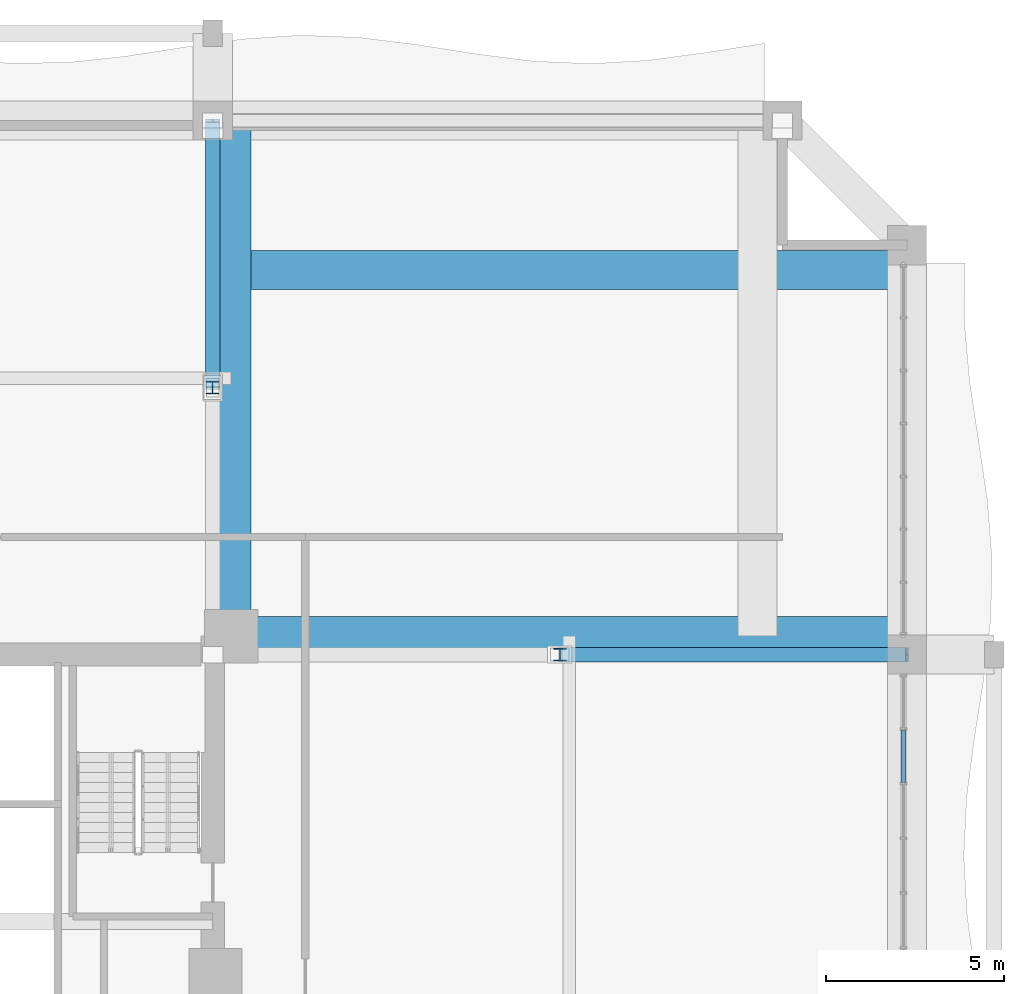
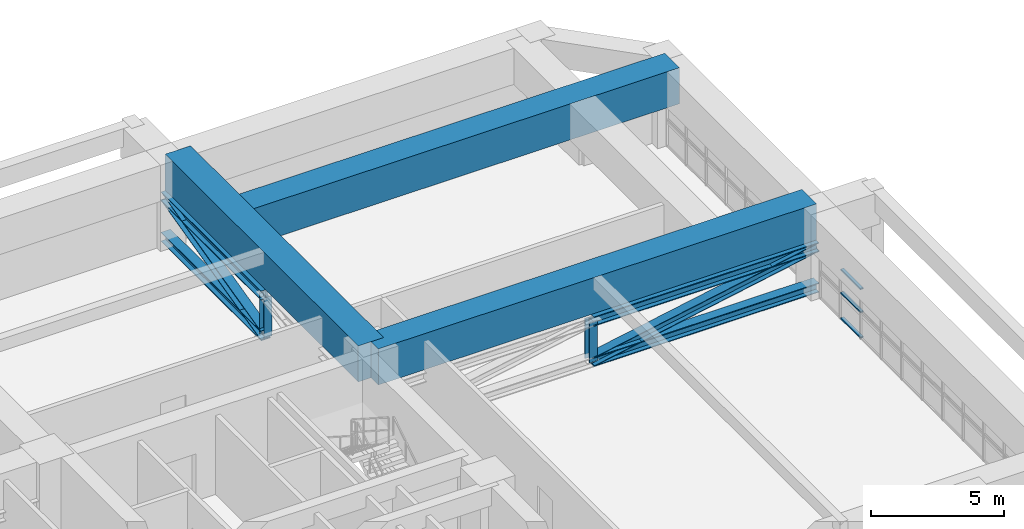
# One storey, part 23 of 35: 11 members, 3 beams, 1 element without a shape of its own.
"""IFC4 building model written with IfcOpenShell, lengths in metres."""

import ifcopenshell
import ifcopenshell.guid

model = None  # the IFC model being written
_history = None  # IfcOwnerHistory: only IFC2X3 demands one
_inside = {}  # id of a spatial element -> (the spatial element, [elements in it])
_under = {}  # id of a project, library or spatial element -> (it, [spatial elements below it])
_declared = {}  # id of a project -> (the project, [libraries it declares])
_typed = {}  # id of a type object -> (the type object, [elements of that type])
_made_of = {}  # id of a material, layer set ... -> (it, [elements and type objects made of it])


def new_model(schema):
    """Start an empty IFC model of exactly this schema.

    Asked for "IFC4X3", IfcOpenShell would pick the latest addendum, in which some entities
    have other attributes; the version numbers below select the first issue.
    IFC2X3 requires an IfcOwnerHistory on every rooted entity: one is made here for all.
    """
    global model, _history
    if schema == "IFC4X3":
        model = ifcopenshell.file(schema_version=(4, 3, 0, 0))
    else:
        model = ifcopenshell.file(schema=schema)
    _inside.clear()
    _under.clear()
    _declared.clear()
    _typed.clear()
    _made_of.clear()
    _history = None
    if model.schema == "IFC2X3":
        org = make("IfcOrganization", Name="unknown")
        user = make(
            "IfcPersonAndOrganization",
            ThePerson=make("IfcPerson", FamilyName="unknown"),
            TheOrganization=org,
        )
        app = make(
            "IfcApplication",
            ApplicationDeveloper=org,
            Version="unknown",
            ApplicationFullName="unknown",
            ApplicationIdentifier="unknown",
        )
        _history = make(
            "IfcOwnerHistory",
            OwningUser=user,
            OwningApplication=app,
            ChangeAction="ADDED",
            CreationDate=0,
        )
    return model


def make(cls, **values):
    """One entity of the class cls with the attributes given. An attribute that is None is left unset."""
    return model.create_entity(
        cls, **{name: value for name, value in values.items() if value is not None}
    )


def rooted(cls, **values):
    """An entity with a GlobalId (a new one), such as an element, a storey or a relation."""
    return make(cls, GlobalId=ifcopenshell.guid.new(), OwnerHistory=_history, **values)


def si_unit(unit_type, name, prefix=None):
    """IfcSIUnit, for example si_unit("LENGTHUNIT", "METRE", prefix="MILLI")."""
    return make("IfcSIUnit", UnitType=unit_type, Prefix=prefix, Name=name)


def assignment(units):
    """IfcUnitAssignment: the units of a project."""
    return None if units is None else make("IfcUnitAssignment", Units=units)


def point(xyz):
    """IfcCartesianPoint."""
    return None if xyz is None else make("IfcCartesianPoint", Coordinates=xyz)


def direction(xyz):
    """IfcDirection."""
    return None if xyz is None else make("IfcDirection", DirectionRatios=xyz)


def frame(location, z_axis=None, x_axis=None):
    """IfcAxis2Placement3D, a coordinate frame: its origin and axes. An axis left out is left unset."""
    return make(
        "IfcAxis2Placement3D",
        Location=point(location),
        Axis=direction(z_axis),
        RefDirection=direction(x_axis),
    )


def frame_2d(location, x_axis=None):
    """IfcAxis2Placement2D, a coordinate frame in the plane: its origin and x axis."""
    return make(
        "IfcAxis2Placement2D", Location=point(location), RefDirection=direction(x_axis)
    )


def origin():
    """The frame at (0, 0, 0) with its axes left unset."""
    return frame((0.0, 0.0, 0.0))


def origin_2d():
    """The frame at (0, 0) in the plane with its x axis left unset."""
    return frame_2d((0.0, 0.0))


def place(relative_to, where):
    """IfcLocalPlacement: puts the frame where relative to a parent placement (None: the world)."""
    return make(
        "IfcLocalPlacement", PlacementRelTo=relative_to, RelativePlacement=where
    )


def context(
    kind, dimensions, precision=None, world=None, true_north=None, identifier=None
):
    """IfcGeometricRepresentationContext, for example the 3D "Model" context."""
    return make(
        "IfcGeometricRepresentationContext",
        ContextIdentifier=identifier,
        ContextType=kind,
        CoordinateSpaceDimension=dimensions,
        Precision=precision,
        WorldCoordinateSystem=world,
        TrueNorth=true_north,
    )


def subcontext(parent, identifier, kind, view, scale=None):
    """IfcGeometricRepresentationSubContext, for example "Body" below "Model"."""
    return make(
        "IfcGeometricRepresentationSubContext",
        ContextIdentifier=identifier,
        ContextType=kind,
        ParentContext=parent,
        TargetScale=scale,
        TargetView=view,
    )


def project(units=None, contexts=None):
    """IfcProject with its units and contexts."""
    return rooted(
        "IfcProject",
        Name="project",
        RepresentationContexts=contexts,
        UnitsInContext=assignment(units),
    )


def spatial(cls, under=None, at=None, **own):
    """A site, building, storey or space (cls), placed at a placement, below another one or the project."""
    s = rooted(cls, ObjectPlacement=at, **own)
    if under is not None:
        _under.setdefault(under.id(), (under, []))[1].append(s)
    return s


def profile(cls, at=None, kind="AREA", **sizes):
    """A parametric profile (cls). Its sizes go by their IFC names, for example OverallWidth=200.0."""
    return make(cls, ProfileType=kind, Position=at, **sizes)


def rectangle(**sizes):
    """IfcRectangleProfileDef."""
    return profile("IfcRectangleProfileDef", **sizes)


def hollow_rectangle(**sizes):
    """IfcRectangleHollowProfileDef."""
    return profile("IfcRectangleHollowProfileDef", **sizes)


def i_section(**sizes):
    """IfcIShapeProfileDef."""
    return profile("IfcIShapeProfileDef", **sizes)


def extrude(swept, where, along, depth):
    """IfcExtrudedAreaSolid: the profile swept, set in the frame where, extruded along a direction by depth."""
    return make(
        "IfcExtrudedAreaSolid",
        SweptArea=swept,
        Position=where,
        ExtrudedDirection=direction(along),
        Depth=depth,
    )


def shape(context_of_items, identifier, shape_type, items):
    """IfcShapeRepresentation: the items that make up one representation, for example the "Body"."""
    return make(
        "IfcShapeRepresentation",
        ContextOfItems=context_of_items,
        RepresentationIdentifier=identifier,
        RepresentationType=shape_type,
        Items=items,
    )


def source(mapping_origin, context_of_items, identifier, shape_type, items):
    """IfcRepresentationMap: a shape defined once, which mapped items show again and again."""
    return make(
        "IfcRepresentationMap",
        MappingOrigin=mapping_origin,
        MappedRepresentation=shape(context_of_items, identifier, shape_type, items),
    )


def transform(
    local_origin,
    x_axis=None,
    y_axis=None,
    z_axis=None,
    scale=None,
    scale2=None,
    scale3=None,
    uniform=True,
):
    """IfcCartesianTransformationOperator3D, or its non-uniform kind. x_axis, y_axis, z_axis: its Axis1, 2, 3."""
    if uniform:
        return make(
            "IfcCartesianTransformationOperator3D",
            Axis1=direction(x_axis),
            Axis2=direction(y_axis),
            LocalOrigin=point(local_origin),
            Scale=scale,
            Axis3=direction(z_axis),
        )
    return make(
        "IfcCartesianTransformationOperator3DnonUniform",
        Axis1=direction(x_axis),
        Axis2=direction(y_axis),
        LocalOrigin=point(local_origin),
        Scale=scale,
        Axis3=direction(z_axis),
        Scale2=scale2,
        Scale3=scale3,
    )


def mapped(mapping_source, mapping_target):
    """IfcMappedItem: shows the shape of a source again, moved by a transform."""
    return make(
        "IfcMappedItem", MappingSource=mapping_source, MappingTarget=mapping_target
    )


def material(Name=None, Category=None):
    """IfcMaterial."""
    return make("IfcMaterial", Name=Name, Category=Category)


def layer(
    of_material, thickness, ventilated=None, Name=None, Category=None, Priority=None
):
    """IfcMaterialLayer: one layer of a wall or slab, of a material (None: an air gap)."""
    return make(
        "IfcMaterialLayer",
        Material=of_material,
        LayerThickness=thickness,
        IsVentilated=ventilated,
        Name=Name,
        Category=Category,
        Priority=Priority,
    )


def layer_set(layers, Name=None):
    """IfcMaterialLayerSet."""
    return make("IfcMaterialLayerSet", MaterialLayers=layers, LayerSetName=Name)


def material_profile(
    of_material, cross_section, Name=None, Category=None, Priority=None
):
    """IfcMaterialProfile: a cross section and its material."""
    return make(
        "IfcMaterialProfile",
        Name=Name,
        Material=of_material,
        Profile=cross_section,
        Priority=Priority,
        Category=Category,
    )


def profile_set(profiles, Name=None, composite=None):
    """IfcMaterialProfileSet."""
    return make(
        "IfcMaterialProfileSet",
        Name=Name,
        MaterialProfiles=profiles,
        CompositeProfile=composite,
    )


def made_of(thing, what):
    """Note that an element or type object is made of a material, layer set ...; save() writes the relation."""
    if what is not None:
        _made_of.setdefault(what.id(), (what, []))[1].append(thing)
    return thing


def type_object(cls, material=None, **own):
    """A type object (cls), such as IfcWallType, which elements share."""
    return made_of(rooted(cls, **own), material)


def element(
    cls,
    number,
    at=None,
    inside=None,
    cuts=None,
    type_object=None,
    material=None,
    context=None,
    identifier="Body",
    shape_type=None,
    held_by="IfcProductDefinitionShape",
    body=None,
    shapes=None,
    **own,
):
    """One element of the class cls, such as IfcWall. Its Tag is "e" and its number.

    at: its placement. inside: the storey or other place that contains it. cuts: it is an
    opening in that element (IfcRelVoidsElement). A single representation is given by context,
    identifier, shape_type and body (its items); several are given by shapes. held_by: the class
    of the entity that holds the representations. save() writes the other relations.
    """
    e = rooted(cls, Tag="e%d" % number, ObjectPlacement=at, **own)
    if body is not None:
        shapes = [shape(context, identifier, shape_type, body)]
    if shapes is not None:
        e.Representation = make(held_by, Representations=shapes)
    if inside is not None:
        _inside.setdefault(inside.id(), (inside, []))[1].append(e)
    if cuts is not None:
        rooted(
            "IfcRelVoidsElement", RelatingBuildingElement=cuts, RelatedOpeningElement=e
        )
    if type_object is not None:
        _typed.setdefault(type_object.id(), (type_object, []))[1].append(e)
    return made_of(e, material)


def aggregate(whole, parts):
    """IfcRelAggregates: a whole, such as a stair, and the parts it consists of."""
    return rooted("IfcRelAggregates", RelatingObject=whole, RelatedObjects=parts)


def save(model, path):
    """Write the relations noted so far, then the file.

    IfcRelAggregates (storeys below a building ...), IfcRelContainedInSpatialStructure (elements
    in a storey), IfcRelDefinesByType, IfcRelAssociatesMaterial and IfcRelDeclares: one each for
    every whole, place, type object, material and project.
    """
    for whole, parts in _under.values():
        aggregate(whole, parts)
    for where, things in _inside.values():
        rooted(
            "IfcRelContainedInSpatialStructure",
            RelatedElements=things,
            RelatingStructure=where,
        )
    for kind, things in _typed.values():
        rooted("IfcRelDefinesByType", RelatedObjects=things, RelatingType=kind)
    for what, things in _made_of.values():
        rooted("IfcRelAssociatesMaterial", RelatedObjects=things, RelatingMaterial=what)
    for by, libraries in _declared.values():
        rooted("IfcRelDeclares", RelatingContext=by, RelatedDefinitions=libraries)
    model.write(path)


model = new_model("IFC4")

# Units and contexts
model_context = context("Model", 3, precision=1e-05, world=origin(), true_north=direction((0.0, 1.0)))
body_context = subcontext(model_context, "Body", "Model", "MODEL_VIEW")
ifc_project = project(units=[si_unit("LENGTHUNIT", "METRE"), si_unit("AREAUNIT", "SQUARE_METRE"), si_unit("VOLUMEUNIT", "CUBIC_METRE"), si_unit("PLANEANGLEUNIT", "RADIAN"), si_unit("MASSUNIT", "GRAM", prefix="KILO")], contexts=[model_context])

# Site, building, storey
site_placement = place(None, origin())
site = spatial("IfcSite", under=ifc_project, at=site_placement, CompositionType="ELEMENT")
building_placement = place(site_placement, origin())
building = spatial("IfcBuilding", under=site, at=building_placement, Name="Saelheon Loggia Tower", CompositionType="ELEMENT")
storey_placement = place(building_placement, frame((0.0, 0.0, 70.39990234375)))
storey = spatial("IfcBuildingStorey", under=building, at=storey_placement, Name="L22", CompositionType="ELEMENT", Elevation=70.39990234375)

# Beams
ifc_material_1 = material(Name="Concrete C50/60", Category="concrete")
ifc_material_profile_1 = material_profile(ifc_material_1, rectangle(XDim=1.10009765625, YDim=1.64990234375, at=origin_2d()), Name="RC-1100x1650")
ifc_profile_set_1 = profile_set([ifc_material_profile_1], Name="Concrete C50/60")
beam_type = type_object("IfcBeamType", Name="Beam_MegaTransfer_RC1100x1650", PredefinedType="BEAM", material=ifc_profile_set_1)
shared_shape_1 = source(origin(), body_context, "Body", "SweptSolid", [
    extrude(rectangle(XDim=1.10009765625, YDim=1.64990234375, at=origin_2d()), origin(), (0.0, 0.0, 1.0), 14.47998046875),
])
beam_1_placement = place(storey_placement, frame((45.02001953125, 36.52001953125, 3.125), z_axis=(0.0, 1.0, 0.0), x_axis=(-1.0, 0.0, 0.0)))
element("IfcBeam", 1, at=beam_1_placement, inside=storey, type_object=beam_type, Name="L22 Radial Floor Girder RAD-NE-N", PredefinedType="BEAM", context=body_context, shape_type="MappedRepresentation", body=[
    mapped(shared_shape_1, transform((0.0, 0.0, 0.0), scale=1.0)),
])
shared_shape_2 = source(origin(), body_context, "Body", "SweptSolid", [
    extrude(rectangle(XDim=1.10009765625, YDim=1.64990234375, at=origin_2d()), origin(), (0.0, 0.0, 1.0), 18.97998046875),
])
beam_2_placement = place(storey_placement, frame((45.02001953125, 36.52001953125, 3.125), z_axis=(1.0, 0.0, 0.0), x_axis=(0.0, 1.0, 0.0)))
element("IfcBeam", 2, at=beam_2_placement, inside=storey, type_object=beam_type, Name="L22 Radial Floor Girder RAD-NE-E", PredefinedType="BEAM", context=body_context, shape_type="MappedRepresentation", body=[
    mapped(shared_shape_2, transform((0.0, 0.0, 0.0), scale=1.0)),
])
shared_shape_3 = source(origin(), body_context, "Body", "SweptSolid", [
    extrude(rectangle(XDim=1.10009765625, YDim=1.64990234375, at=origin_2d()), origin(), (0.0, 0.0, 1.0), 19.5),
])
beam_3_placement = place(storey_placement, frame((44.5, 46.800048828125, 3.125), z_axis=(1.0, 0.0, 0.0), x_axis=(0.0, 1.0, 0.0)))
element("IfcBeam", 3, at=beam_3_placement, inside=storey, type_object=beam_type, Name="TG-L22-SH-NE", PredefinedType="BEAM", context=body_context, shape_type="MappedRepresentation", body=[
    mapped(shared_shape_3, transform((0.0, 0.0, 0.0), scale=1.0)),
])

# Members
ifc_material_2 = material(Name="Steel SM355", Category="steel")
ifc_material_profile_2 = material_profile(ifc_material_2, i_section(OverallWidth=0.406982421875, OverallDepth=0.427978515625, WebThickness=0.02001953125, FlangeThickness=0.034912109375, at=origin_2d()), Name="H-428x407x20x35")
ifc_profile_set_2 = profile_set([ifc_material_profile_2], Name="Steel SM355")
member_type_1 = type_object("IfcMemberType", Name="Outrigger_Chord_H428", PredefinedType="CHORD", material=ifc_profile_set_2)
shared_shape_4 = source(origin(), body_context, "Body", "SweptSolid", [
    extrude(i_section(OverallWidth=0.406982421875, OverallDepth=0.427978515625, WebThickness=0.02001953125, FlangeThickness=0.034912109375, at=origin_2d()), origin(), (0.0, 0.0, 1.0), 7.5),
])
for number, where, z_axis, x_axis, name in (
    (4, (44.5, 43.5, 0.22021484375), (0.0, 1.0, 0.0), (-1.0, 0.0, 0.0), "L22 Outrigger Bottom Chord NE-N 2"),
    (5, (44.5, 43.5, 2.070068359375), (0.0, 1.0, 0.0), (-1.0, 0.0, 0.0), "L22 Outrigger Top Chord NE-N 2"),
):
    element("IfcMember", number, at=place(storey_placement, frame(where, z_axis=z_axis, x_axis=x_axis)), inside=storey, type_object=member_type_1, Name=name, PredefinedType="CHORD", context=body_context, shape_type="MappedRepresentation", body=[
        mapped(shared_shape_4, transform((0.0, 0.0, 0.0), scale=1.0)),
    ])
ifc_material_profile_3 = material_profile(ifc_material_2, i_section(OverallWidth=0.35009765625, OverallDepth=0.35009765625, WebThickness=0.011962890625, FlangeThickness=0.01904296875, at=origin_2d()), Name="H-350x350x12x19")
ifc_profile_set_3 = profile_set([ifc_material_profile_3], Name="Steel SM355")
member_type_2 = type_object("IfcMemberType", Name="Outrigger_Post_H350", PredefinedType="POST", material=ifc_profile_set_3)
shared_shape_5 = source(origin(), body_context, "Body", "SweptSolid", [
    extrude(i_section(OverallWidth=0.35009765625, OverallDepth=0.35009765625, WebThickness=0.011962890625, FlangeThickness=0.01904296875, at=origin_2d()), origin(), (0.0, 0.0, 1.0), 1.849853515625),
])
for number, where, z_axis, x_axis, name in (
    (6, (44.5, 43.5, 0.22021484375), (0.0, 0.0, 1.0), (1.0, 0.0, 0.0), "L22 Outrigger Web Post NE-N"),
    (7, (54.25, 36.0, 0.22021484375), (0.0, 0.0, 1.0), (1.0, 0.0, 0.0), "L22 Outrigger Web Post NE-E"),
):
    element("IfcMember", number, at=place(storey_placement, frame(where, z_axis=z_axis, x_axis=x_axis)), inside=storey, type_object=member_type_2, Name=name, PredefinedType="POST", context=body_context, shape_type="MappedRepresentation", body=[
        mapped(shared_shape_5, transform((0.0, 0.0, 0.0), scale=1.0)),
    ])
ifc_material_profile_4 = material_profile(ifc_material_2, i_section(OverallWidth=0.39990234375, OverallDepth=0.39990234375, WebThickness=0.012939453125, FlangeThickness=0.02099609375, at=origin_2d()), Name="H-400x400x13x21")
ifc_profile_set_4 = profile_set([ifc_material_profile_4], Name="Steel SM355")
member_type_3 = type_object("IfcMemberType", Name="Outrigger_Brace_H400", PredefinedType="BRACE", material=ifc_profile_set_4)
shared_shape_6 = source(origin(), body_context, "Body", "SweptSolid", [
    extrude(i_section(OverallWidth=0.39990234375, OverallDepth=0.39990234375, WebThickness=0.012939453125, FlangeThickness=0.02099609375, at=origin_2d()), origin(), (0.0, 0.0, 1.0), 7.724853515625),
])
member_1_placement = place(storey_placement, frame((44.5, 43.5, 0.22021484375), z_axis=(0.0, 0.970903617095, 0.239470595922), x_axis=(-1.0, 0.0, 0.0)))
element("IfcMember", 8, at=member_1_placement, inside=storey, type_object=member_type_3, Name="L22 Outrigger Diagonal NE-N 2", PredefinedType="BRACE", context=body_context, shape_type="MappedRepresentation", body=[
    mapped(shared_shape_6, transform((0.0, 0.0, 0.0), scale=1.0)),
])
shared_shape_7 = source(origin(), body_context, "Body", "SweptSolid", [
    extrude(i_section(OverallWidth=0.406982421875, OverallDepth=0.427978515625, WebThickness=0.02001953125, FlangeThickness=0.034912109375, at=origin_2d()), origin(), (0.0, 0.0, 1.0), 9.75),
])
for number, where, z_axis, x_axis, name in (
    (9, (54.25, 36.0, 0.22021484375), (1.0, 0.0, 0.0), (0.0, 1.0, 0.0), "L22 Outrigger Bottom Chord NE-E 2"),
    (10, (54.25, 36.0, 2.070068359375), (1.0, 0.0, 0.0), (0.0, 1.0, 0.0), "L22 Outrigger Top Chord NE-E 2"),
):
    element("IfcMember", number, at=place(storey_placement, frame(where, z_axis=z_axis, x_axis=x_axis)), inside=storey, type_object=member_type_1, Name=name, PredefinedType="CHORD", context=body_context, shape_type="MappedRepresentation", body=[
        mapped(shared_shape_7, transform((0.0, 0.0, 0.0), scale=1.0)),
    ])
shared_shape_8 = source(origin(), body_context, "Body", "SweptSolid", [
    extrude(i_section(OverallWidth=0.39990234375, OverallDepth=0.39990234375, WebThickness=0.012939453125, FlangeThickness=0.02099609375, at=origin_2d()), origin(), (0.0, 0.0, 1.0), 9.923828125),
])
member_2_placement = place(storey_placement, frame((54.25, 36.0, 0.22021484375), z_axis=(0.9824733212, 0.0, 0.186403254075), x_axis=(0.0, 1.0, 0.0)))
element("IfcMember", 11, at=member_2_placement, inside=storey, type_object=member_type_3, Name="L22 Outrigger Diagonal NE-E 2", PredefinedType="BRACE", context=body_context, shape_type="MappedRepresentation", body=[
    mapped(shared_shape_8, transform((0.0, 0.0, 0.0), scale=1.0)),
])

# Curtain wall, members
ifc_material_3 = material(Name="Anodised Aluminium Acoustic Louvre Curtain Wall", Category="aluminium")
ifc_layer = layer(ifc_material_3, 0.179931640625)
ifc_layer_set = layer_set([ifc_layer], Name="Anodised Aluminium Acoustic Louvre Curtain Wall")
curtain_wall_type = type_object("IfcCurtainWallType", Name="CW_RefugeAcoustic", PredefinedType="NOTDEFINED", material=ifc_layer_set)
curtain_wall_placement = place(storey_placement, origin())
curtain_wall = element("IfcCurtainWall", 12, at=curtain_wall_placement, inside=storey, type_object=curtain_wall_type, Name="L22 E Refuge Acoustic Curtain Wall 2", PredefinedType="NOTDEFINED")
ifc_material_4 = material(Name="Anodised Aluminium 6063-T6", Category="aluminium")
ifc_material_profile_5 = material_profile(ifc_material_4, hollow_rectangle(XDim=0.06494140625, YDim=0.139892578125, WallThickness=0.00390625, at=origin_2d()), Name="RHS-140x65x4")
ifc_profile_set_5 = profile_set([ifc_material_profile_5], Name="Anodised Aluminium 6063-T6")
member_type_4 = type_object("IfcMemberType", Name="CW_RefugeAcoustic_Transom", PredefinedType="USERDEFINED", material=ifc_profile_set_5)
shared_shape_9 = source(origin(), body_context, "Body", "SweptSolid", [
    extrude(hollow_rectangle(XDim=0.06494140625, YDim=0.139892578125, WallThickness=0.00390625, at=origin_2d()), origin(), (0.0, 0.0, 1.0), 1.471435546875),
])
member_3_placement = place(storey_placement, frame((63.89990234375, 32.40966796875, 0.03271484375), z_axis=(0.0, 1.0, 0.0), x_axis=(0.0, 0.0, 1.0)))
member_3 = element("IfcMember", 13, at=member_3_placement, type_object=member_type_4, Name="CW5 transom 10.1", ObjectType="TRANSOM", PredefinedType="USERDEFINED", context=body_context, shape_type="MappedRepresentation", body=[
    mapped(shared_shape_9, transform((0.0, 0.0, 0.0), scale=1.0)),
])
member_4_placement = place(storey_placement, frame((63.89990234375, 32.40966796875, 1.2001953125), z_axis=(0.0, 1.0, 0.0), x_axis=(0.0, 0.0, 1.0)))
member_4 = element("IfcMember", 14, at=member_4_placement, type_object=member_type_4, Name="CW5 transom 10.2", ObjectType="TRANSOM", PredefinedType="USERDEFINED", context=body_context, shape_type="MappedRepresentation", body=[
    mapped(shared_shape_9, transform((0.0, 0.0, 0.0), scale=1.0)),
])
member_5_placement = place(storey_placement, frame((63.89990234375, 32.40966796875, 2.257568359375), z_axis=(0.0, 1.0, 0.0), x_axis=(0.0, 0.0, 1.0)))
member_5 = element("IfcMember", 15, at=member_5_placement, type_object=member_type_4, Name="CW5 transom 10.3", ObjectType="TRANSOM", PredefinedType="USERDEFINED", context=body_context, shape_type="MappedRepresentation", body=[
    mapped(shared_shape_9, transform((0.0, 0.0, 0.0), scale=1.0)),
])
aggregate(curtain_wall, [member_3, member_4, member_5])

save(model, "model.ifc")
